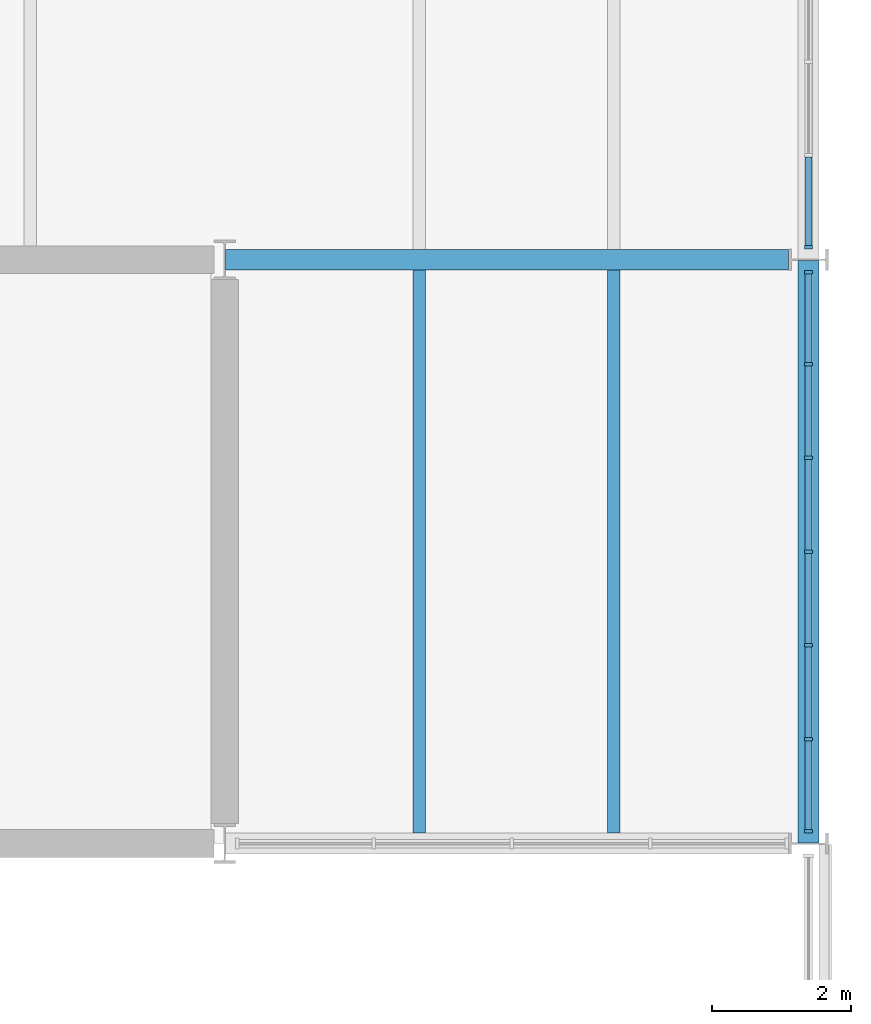
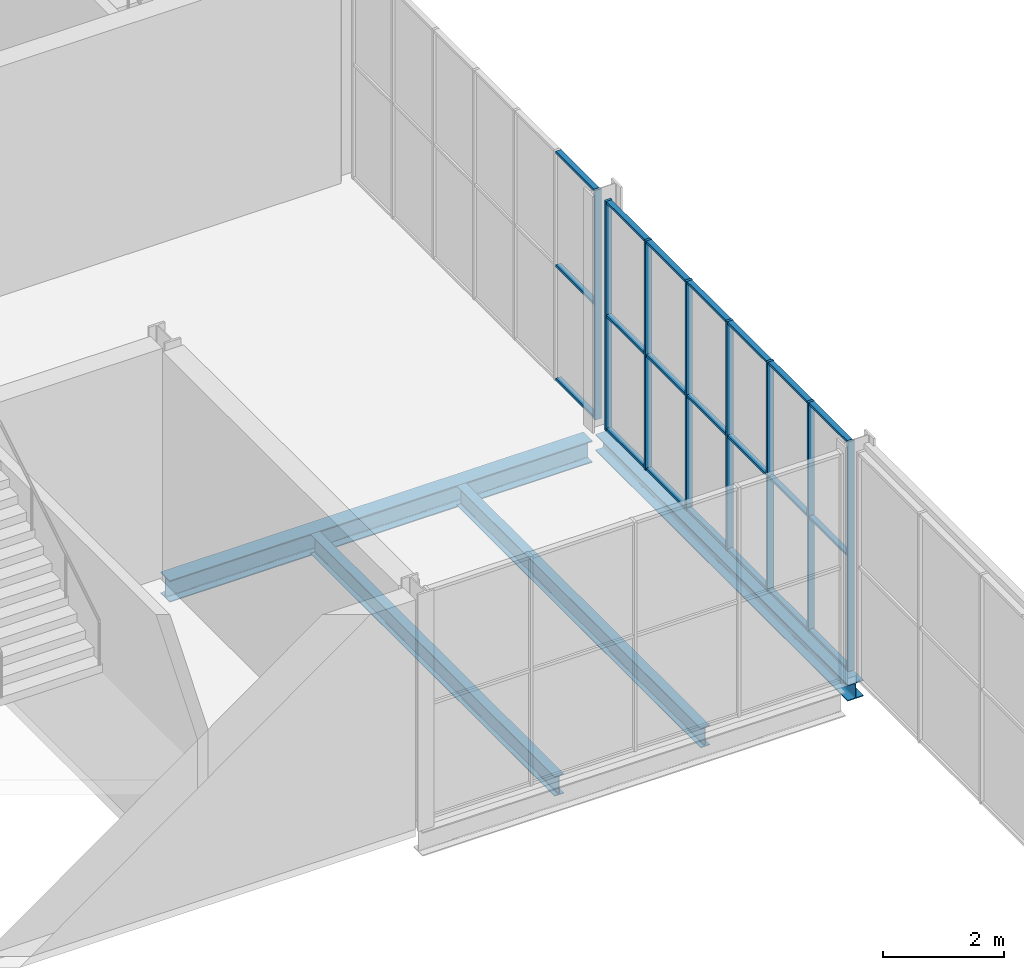
# One storey, part 28 of 61: 29 members, 4 beams, 2 elements without a shape of their own.
"""IFC4 building model written with IfcOpenShell, lengths in metres."""

import ifcopenshell
import ifcopenshell.guid

model = None  # the IFC model being written
_history = None  # IfcOwnerHistory: only IFC2X3 demands one
_inside = {}  # id of a spatial element -> (the spatial element, [elements in it])
_under = {}  # id of a project, library or spatial element -> (it, [spatial elements below it])
_declared = {}  # id of a project -> (the project, [libraries it declares])
_typed = {}  # id of a type object -> (the type object, [elements of that type])
_made_of = {}  # id of a material, layer set ... -> (it, [elements and type objects made of it])


def new_model(schema):
    """Start an empty IFC model of exactly this schema.

    Asked for "IFC4X3", IfcOpenShell would pick the latest addendum, in which some entities
    have other attributes; the version numbers below select the first issue.
    IFC2X3 requires an IfcOwnerHistory on every rooted entity: one is made here for all.
    """
    global model, _history
    if schema == "IFC4X3":
        model = ifcopenshell.file(schema_version=(4, 3, 0, 0))
    else:
        model = ifcopenshell.file(schema=schema)
    _inside.clear()
    _under.clear()
    _declared.clear()
    _typed.clear()
    _made_of.clear()
    _history = None
    if model.schema == "IFC2X3":
        org = make("IfcOrganization", Name="unknown")
        user = make(
            "IfcPersonAndOrganization",
            ThePerson=make("IfcPerson", FamilyName="unknown"),
            TheOrganization=org,
        )
        app = make(
            "IfcApplication",
            ApplicationDeveloper=org,
            Version="unknown",
            ApplicationFullName="unknown",
            ApplicationIdentifier="unknown",
        )
        _history = make(
            "IfcOwnerHistory",
            OwningUser=user,
            OwningApplication=app,
            ChangeAction="ADDED",
            CreationDate=0,
        )
    return model


def make(cls, **values):
    """One entity of the class cls with the attributes given. An attribute that is None is left unset."""
    return model.create_entity(
        cls, **{name: value for name, value in values.items() if value is not None}
    )


def rooted(cls, **values):
    """An entity with a GlobalId (a new one), such as an element, a storey or a relation."""
    return make(cls, GlobalId=ifcopenshell.guid.new(), OwnerHistory=_history, **values)


def si_unit(unit_type, name, prefix=None):
    """IfcSIUnit, for example si_unit("LENGTHUNIT", "METRE", prefix="MILLI")."""
    return make("IfcSIUnit", UnitType=unit_type, Prefix=prefix, Name=name)


def assignment(units):
    """IfcUnitAssignment: the units of a project."""
    return None if units is None else make("IfcUnitAssignment", Units=units)


def point(xyz):
    """IfcCartesianPoint."""
    return None if xyz is None else make("IfcCartesianPoint", Coordinates=xyz)


def direction(xyz):
    """IfcDirection."""
    return None if xyz is None else make("IfcDirection", DirectionRatios=xyz)


def frame(location, z_axis=None, x_axis=None):
    """IfcAxis2Placement3D, a coordinate frame: its origin and axes. An axis left out is left unset."""
    return make(
        "IfcAxis2Placement3D",
        Location=point(location),
        Axis=direction(z_axis),
        RefDirection=direction(x_axis),
    )


def frame_2d(location, x_axis=None):
    """IfcAxis2Placement2D, a coordinate frame in the plane: its origin and x axis."""
    return make(
        "IfcAxis2Placement2D", Location=point(location), RefDirection=direction(x_axis)
    )


def origin():
    """The frame at (0, 0, 0) with its axes left unset."""
    return frame((0.0, 0.0, 0.0))


def origin_2d():
    """The frame at (0, 0) in the plane with its x axis left unset."""
    return frame_2d((0.0, 0.0))


def place(relative_to, where):
    """IfcLocalPlacement: puts the frame where relative to a parent placement (None: the world)."""
    return make(
        "IfcLocalPlacement", PlacementRelTo=relative_to, RelativePlacement=where
    )


def context(
    kind, dimensions, precision=None, world=None, true_north=None, identifier=None
):
    """IfcGeometricRepresentationContext, for example the 3D "Model" context."""
    return make(
        "IfcGeometricRepresentationContext",
        ContextIdentifier=identifier,
        ContextType=kind,
        CoordinateSpaceDimension=dimensions,
        Precision=precision,
        WorldCoordinateSystem=world,
        TrueNorth=true_north,
    )


def subcontext(parent, identifier, kind, view, scale=None):
    """IfcGeometricRepresentationSubContext, for example "Body" below "Model"."""
    return make(
        "IfcGeometricRepresentationSubContext",
        ContextIdentifier=identifier,
        ContextType=kind,
        ParentContext=parent,
        TargetScale=scale,
        TargetView=view,
    )


def project(units=None, contexts=None):
    """IfcProject with its units and contexts."""
    return rooted(
        "IfcProject",
        Name="project",
        RepresentationContexts=contexts,
        UnitsInContext=assignment(units),
    )


def spatial(cls, under=None, at=None, **own):
    """A site, building, storey or space (cls), placed at a placement, below another one or the project."""
    s = rooted(cls, ObjectPlacement=at, **own)
    if under is not None:
        _under.setdefault(under.id(), (under, []))[1].append(s)
    return s


def profile(cls, at=None, kind="AREA", **sizes):
    """A parametric profile (cls). Its sizes go by their IFC names, for example OverallWidth=200.0."""
    return make(cls, ProfileType=kind, Position=at, **sizes)


def rectangle(**sizes):
    """IfcRectangleProfileDef."""
    return profile("IfcRectangleProfileDef", **sizes)


def i_section(**sizes):
    """IfcIShapeProfileDef."""
    return profile("IfcIShapeProfileDef", **sizes)


def extrude(swept, where, along, depth):
    """IfcExtrudedAreaSolid: the profile swept, set in the frame where, extruded along a direction by depth."""
    return make(
        "IfcExtrudedAreaSolid",
        SweptArea=swept,
        Position=where,
        ExtrudedDirection=direction(along),
        Depth=depth,
    )


def shape(context_of_items, identifier, shape_type, items):
    """IfcShapeRepresentation: the items that make up one representation, for example the "Body"."""
    return make(
        "IfcShapeRepresentation",
        ContextOfItems=context_of_items,
        RepresentationIdentifier=identifier,
        RepresentationType=shape_type,
        Items=items,
    )


def material(Name=None, Category=None):
    """IfcMaterial."""
    return make("IfcMaterial", Name=Name, Category=Category)


def layer(
    of_material, thickness, ventilated=None, Name=None, Category=None, Priority=None
):
    """IfcMaterialLayer: one layer of a wall or slab, of a material (None: an air gap)."""
    return make(
        "IfcMaterialLayer",
        Material=of_material,
        LayerThickness=thickness,
        IsVentilated=ventilated,
        Name=Name,
        Category=Category,
        Priority=Priority,
    )


def layer_set(layers, Name=None):
    """IfcMaterialLayerSet."""
    return make("IfcMaterialLayerSet", MaterialLayers=layers, LayerSetName=Name)


def material_profile(
    of_material, cross_section, Name=None, Category=None, Priority=None
):
    """IfcMaterialProfile: a cross section and its material."""
    return make(
        "IfcMaterialProfile",
        Name=Name,
        Material=of_material,
        Profile=cross_section,
        Priority=Priority,
        Category=Category,
    )


def profile_set(profiles, Name=None, composite=None):
    """IfcMaterialProfileSet."""
    return make(
        "IfcMaterialProfileSet",
        Name=Name,
        MaterialProfiles=profiles,
        CompositeProfile=composite,
    )


def made_of(thing, what):
    """Note that an element or type object is made of a material, layer set ...; save() writes the relation."""
    if what is not None:
        _made_of.setdefault(what.id(), (what, []))[1].append(thing)
    return thing


def type_object(cls, material=None, **own):
    """A type object (cls), such as IfcWallType, which elements share."""
    return made_of(rooted(cls, **own), material)


def element(
    cls,
    number,
    at=None,
    inside=None,
    cuts=None,
    type_object=None,
    material=None,
    context=None,
    identifier="Body",
    shape_type=None,
    held_by="IfcProductDefinitionShape",
    body=None,
    shapes=None,
    **own,
):
    """One element of the class cls, such as IfcWall. Its Tag is "e" and its number.

    at: its placement. inside: the storey or other place that contains it. cuts: it is an
    opening in that element (IfcRelVoidsElement). A single representation is given by context,
    identifier, shape_type and body (its items); several are given by shapes. held_by: the class
    of the entity that holds the representations. save() writes the other relations.
    """
    e = rooted(cls, Tag="e%d" % number, ObjectPlacement=at, **own)
    if body is not None:
        shapes = [shape(context, identifier, shape_type, body)]
    if shapes is not None:
        e.Representation = make(held_by, Representations=shapes)
    if inside is not None:
        _inside.setdefault(inside.id(), (inside, []))[1].append(e)
    if cuts is not None:
        rooted(
            "IfcRelVoidsElement", RelatingBuildingElement=cuts, RelatedOpeningElement=e
        )
    if type_object is not None:
        _typed.setdefault(type_object.id(), (type_object, []))[1].append(e)
    return made_of(e, material)


def aggregate(whole, parts):
    """IfcRelAggregates: a whole, such as a stair, and the parts it consists of."""
    return rooted("IfcRelAggregates", RelatingObject=whole, RelatedObjects=parts)


def save(model, path):
    """Write the relations noted so far, then the file.

    IfcRelAggregates (storeys below a building ...), IfcRelContainedInSpatialStructure (elements
    in a storey), IfcRelDefinesByType, IfcRelAssociatesMaterial and IfcRelDeclares: one each for
    every whole, place, type object, material and project.
    """
    for whole, parts in _under.values():
        aggregate(whole, parts)
    for where, things in _inside.values():
        rooted(
            "IfcRelContainedInSpatialStructure",
            RelatedElements=things,
            RelatingStructure=where,
        )
    for kind, things in _typed.values():
        rooted("IfcRelDefinesByType", RelatedObjects=things, RelatingType=kind)
    for what, things in _made_of.values():
        rooted("IfcRelAssociatesMaterial", RelatedObjects=things, RelatingMaterial=what)
    for by, libraries in _declared.values():
        rooted("IfcRelDeclares", RelatingContext=by, RelatedDefinitions=libraries)
    model.write(path)


model = new_model("IFC4")

# Units and contexts
model_context = context("Model", 3, precision=1e-05, world=origin(), true_north=direction((0.0, 1.0)))
body_context = subcontext(model_context, "Body", "Model", "MODEL_VIEW")
ifc_project = project(units=[si_unit("LENGTHUNIT", "METRE"), si_unit("AREAUNIT", "SQUARE_METRE"), si_unit("VOLUMEUNIT", "CUBIC_METRE"), si_unit("PLANEANGLEUNIT", "RADIAN"), si_unit("MASSUNIT", "GRAM", prefix="KILO")], contexts=[model_context])

# Site, building, storey
site_placement = place(None, origin())
site = spatial("IfcSite", under=ifc_project, at=site_placement, CompositionType="ELEMENT")
building_placement = place(site_placement, origin())
building = spatial("IfcBuilding", under=site, at=building_placement, Name="Galleria Vessillo Department Store", CompositionType="ELEMENT")
storey_placement = place(building_placement, frame((0.0, 0.0, 11.39990234375)))
storey = spatial("IfcBuildingStorey", under=building, at=storey_placement, Name="L02", CompositionType="ELEMENT", Elevation=11.39990234375)

# Curtain wall, members
ifc_material_1 = material(Name="Aluminium and glass curtain wall", Category="aluminium")
ifc_layer = layer(ifc_material_1, 0.1201171875)
ifc_layer_set = layer_set([ifc_layer], Name="Aluminium and glass curtain wall")
curtain_wall_type = type_object("IfcCurtainWallType", Name="Shopfront curtain wall CW3 1400 module", PredefinedType="NOTDEFINED", material=ifc_layer_set)
curtain_wall_1_placement = place(storey_placement, origin())
curtain_wall_1 = element("IfcCurtainWall", 1, at=curtain_wall_1_placement, inside=storey, type_object=curtain_wall_type, Name="Shopfront curtain wall CW3 1400 module SE-N-L02-01", PredefinedType="NOTDEFINED")
ifc_material_2 = material(Name="Aluminium alloy 6063 T6", Category="aluminium")
ifc_material_profile_1 = material_profile(ifc_material_2, rectangle(XDim=0.1201171875, YDim=0.050048828125, at=origin_2d()), Name="AL 50x120")
ifc_profile_set_1 = profile_set([ifc_material_profile_1], Name="Aluminium alloy 6063 T6")
member_type_1 = type_object("IfcMemberType", Name="Aluminium mullion 50 x 120", PredefinedType="MULLION", material=ifc_profile_set_1)
member_1_placement = place(storey_placement, frame((117.60009765625, 37.97802734375, 0.0), z_axis=(0.0, 0.0, 1.0), x_axis=(-1.0, 0.0, 0.0)))
member_1 = element("IfcMember", 2, at=member_1_placement, type_object=member_type_1, Name="CW3 mullion 1", PredefinedType="MULLION", context=body_context, shape_type="SweptSolid", body=[
    extrude(rectangle(XDim=0.1201171875, YDim=0.050048828125, at=origin_2d()), origin(), (0.0, 0.0, 1.0), 4.650146484375),
])
member_2_placement = place(storey_placement, frame((117.60009765625, 39.302001953125, 0.0), z_axis=(0.0, 0.0, 1.0), x_axis=(-1.0, 0.0, 0.0)))
member_2 = element("IfcMember", 3, at=member_2_placement, type_object=member_type_1, Name="CW3 mullion 2", PredefinedType="MULLION", context=body_context, shape_type="SweptSolid", body=[
    extrude(rectangle(XDim=0.1201171875, YDim=0.050048828125, at=origin_2d()), origin(), (0.0, 0.0, 1.0), 4.650146484375),
])
member_3_placement = place(storey_placement, frame((117.60009765625, 40.651123046875, 0.0), z_axis=(0.0, 0.0, 1.0), x_axis=(-1.0, 0.0, 0.0)))
member_3 = element("IfcMember", 4, at=member_3_placement, type_object=member_type_1, Name="CW3 mullion 3", PredefinedType="MULLION", context=body_context, shape_type="SweptSolid", body=[
    extrude(rectangle(XDim=0.1201171875, YDim=0.050048828125, at=origin_2d()), origin(), (0.0, 0.0, 1.0), 4.650146484375),
])
member_4_placement = place(storey_placement, frame((117.60009765625, 42.0, 0.0), z_axis=(0.0, 0.0, 1.0), x_axis=(-1.0, 0.0, 0.0)))
member_4 = element("IfcMember", 5, at=member_4_placement, type_object=member_type_1, Name="CW3 mullion 4", PredefinedType="MULLION", context=body_context, shape_type="SweptSolid", body=[
    extrude(rectangle(XDim=0.1201171875, YDim=0.050048828125, at=origin_2d()), origin(), (0.0, 0.0, 1.0), 4.650146484375),
])
member_5_placement = place(storey_placement, frame((117.60009765625, 43.348876953125, 0.0), z_axis=(0.0, 0.0, 1.0), x_axis=(-1.0, 0.0, 0.0)))
member_5 = element("IfcMember", 6, at=member_5_placement, type_object=member_type_1, Name="CW3 mullion 5", PredefinedType="MULLION", context=body_context, shape_type="SweptSolid", body=[
    extrude(rectangle(XDim=0.1201171875, YDim=0.050048828125, at=origin_2d()), origin(), (0.0, 0.0, 1.0), 4.650146484375),
])
member_6_placement = place(storey_placement, frame((117.60009765625, 44.697998046875, 0.0), z_axis=(0.0, 0.0, 1.0), x_axis=(-1.0, 0.0, 0.0)))
member_6 = element("IfcMember", 7, at=member_6_placement, type_object=member_type_1, Name="CW3 mullion 6", PredefinedType="MULLION", context=body_context, shape_type="SweptSolid", body=[
    extrude(rectangle(XDim=0.1201171875, YDim=0.050048828125, at=origin_2d()), origin(), (0.0, 0.0, 1.0), 4.650146484375),
])
member_7_placement = place(storey_placement, frame((117.60009765625, 46.02197265625, 0.0), z_axis=(0.0, 0.0, 1.0), x_axis=(-1.0, 0.0, 0.0)))
member_7 = element("IfcMember", 8, at=member_7_placement, type_object=member_type_1, Name="CW3 mullion 7", PredefinedType="MULLION", context=body_context, shape_type="SweptSolid", body=[
    extrude(rectangle(XDim=0.1201171875, YDim=0.050048828125, at=origin_2d()), origin(), (0.0, 0.0, 1.0), 4.650146484375),
])

# Curtain wall, member
curtain_wall_2_placement = place(storey_placement, origin())
curtain_wall_2 = element("IfcCurtainWall", 9, at=curtain_wall_2_placement, inside=storey, type_object=curtain_wall_type, Name="Shopfront curtain wall CW3 1400 module SE-N-L02-02", PredefinedType="NOTDEFINED")
member_8_placement = place(storey_placement, frame((117.60009765625, 46.3779296875, 0.0), z_axis=(0.0, 0.0, 1.0), x_axis=(-1.0, 0.0, 0.0)))
member_8 = element("IfcMember", 10, at=member_8_placement, type_object=member_type_1, Name="CW3 mullion 1", PredefinedType="MULLION", context=body_context, shape_type="SweptSolid", body=[
    extrude(rectangle(XDim=0.1201171875, YDim=0.050048828125, at=origin_2d()), origin(), (0.0, 0.0, 1.0), 4.650146484375),
])

# Member
ifc_material_3 = material(Name="Aluminium alloy 6063 T6", Category="aluminium")
ifc_material_profile_2 = material_profile(ifc_material_3, rectangle(XDim=0.10009765625, YDim=0.050048828125, at=origin_2d()), Name="AL 50x100")
ifc_profile_set_2 = profile_set([ifc_material_profile_2], Name="Aluminium alloy 6063 T6")
member_type_2 = type_object("IfcMemberType", Name="Aluminium transom 50 x 100", PredefinedType="USERDEFINED", material=ifc_profile_set_2)
member_9_placement = place(storey_placement, frame((117.60009765625, 38.003173828125, 0.02490234375), z_axis=(0.0, 1.0, 0.0), x_axis=(-1.0, 0.0, 0.0)))
member_9 = element("IfcMember", 11, at=member_9_placement, type_object=member_type_2, Name="CW3 transom 1.1", ObjectType="TRANSOM", PredefinedType="USERDEFINED", context=body_context, shape_type="SweptSolid", body=[
    extrude(rectangle(XDim=0.10009765625, YDim=0.050048828125, at=origin_2d()), origin(), (0.0, 0.0, 1.0), 1.27392578125),
])

member_10_placement = place(storey_placement, frame((117.60009765625, 38.003173828125, 2.3251953125), z_axis=(0.0, 1.0, 0.0), x_axis=(-1.0, 0.0, 0.0)))
member_10 = element("IfcMember", 12, at=member_10_placement, type_object=member_type_2, Name="CW3 transom 1.2", ObjectType="TRANSOM", PredefinedType="USERDEFINED", context=body_context, shape_type="SweptSolid", body=[
    extrude(rectangle(XDim=0.10009765625, YDim=0.050048828125, at=origin_2d()), origin(), (0.0, 0.0, 1.0), 1.27392578125),
])

member_11_placement = place(storey_placement, frame((117.60009765625, 38.003173828125, 4.625244140625), z_axis=(0.0, 1.0, 0.0), x_axis=(-1.0, 0.0, 0.0)))
member_11 = element("IfcMember", 13, at=member_11_placement, type_object=member_type_2, Name="CW3 transom 1.3", ObjectType="TRANSOM", PredefinedType="USERDEFINED", context=body_context, shape_type="SweptSolid", body=[
    extrude(rectangle(XDim=0.10009765625, YDim=0.050048828125, at=origin_2d()), origin(), (0.0, 0.0, 1.0), 1.27392578125),
])

member_12_placement = place(storey_placement, frame((117.60009765625, 39.3271484375, 0.02490234375), z_axis=(0.0, 1.0, 0.0), x_axis=(-1.0, 0.0, 0.0)))
member_12 = element("IfcMember", 14, at=member_12_placement, type_object=member_type_2, Name="CW3 transom 2.1", ObjectType="TRANSOM", PredefinedType="USERDEFINED", context=body_context, shape_type="SweptSolid", body=[
    extrude(rectangle(XDim=0.10009765625, YDim=0.050048828125, at=origin_2d()), origin(), (0.0, 0.0, 1.0), 1.298828125),
])

member_13_placement = place(storey_placement, frame((117.60009765625, 39.3271484375, 2.3251953125), z_axis=(0.0, 1.0, 0.0), x_axis=(-1.0, 0.0, 0.0)))
member_13 = element("IfcMember", 15, at=member_13_placement, type_object=member_type_2, Name="CW3 transom 2.2", ObjectType="TRANSOM", PredefinedType="USERDEFINED", context=body_context, shape_type="SweptSolid", body=[
    extrude(rectangle(XDim=0.10009765625, YDim=0.050048828125, at=origin_2d()), origin(), (0.0, 0.0, 1.0), 1.298828125),
])

member_14_placement = place(storey_placement, frame((117.60009765625, 39.3271484375, 4.625244140625), z_axis=(0.0, 1.0, 0.0), x_axis=(-1.0, 0.0, 0.0)))
member_14 = element("IfcMember", 16, at=member_14_placement, type_object=member_type_2, Name="CW3 transom 2.3", ObjectType="TRANSOM", PredefinedType="USERDEFINED", context=body_context, shape_type="SweptSolid", body=[
    extrude(rectangle(XDim=0.10009765625, YDim=0.050048828125, at=origin_2d()), origin(), (0.0, 0.0, 1.0), 1.298828125),
])

member_15_placement = place(storey_placement, frame((117.60009765625, 40.676025390625, 0.02490234375), z_axis=(0.0, 1.0, 0.0), x_axis=(-1.0, 0.0, 0.0)))
member_15 = element("IfcMember", 17, at=member_15_placement, type_object=member_type_2, Name="CW3 transom 3.1", ObjectType="TRANSOM", PredefinedType="USERDEFINED", context=body_context, shape_type="SweptSolid", body=[
    extrude(rectangle(XDim=0.10009765625, YDim=0.050048828125, at=origin_2d()), origin(), (0.0, 0.0, 1.0), 1.299072265625),
])

member_16_placement = place(storey_placement, frame((117.60009765625, 40.676025390625, 2.3251953125), z_axis=(0.0, 1.0, 0.0), x_axis=(-1.0, 0.0, 0.0)))
member_16 = element("IfcMember", 18, at=member_16_placement, type_object=member_type_2, Name="CW3 transom 3.2", ObjectType="TRANSOM", PredefinedType="USERDEFINED", context=body_context, shape_type="SweptSolid", body=[
    extrude(rectangle(XDim=0.10009765625, YDim=0.050048828125, at=origin_2d()), origin(), (0.0, 0.0, 1.0), 1.299072265625),
])

member_17_placement = place(storey_placement, frame((117.60009765625, 40.676025390625, 4.625244140625), z_axis=(0.0, 1.0, 0.0), x_axis=(-1.0, 0.0, 0.0)))
member_17 = element("IfcMember", 19, at=member_17_placement, type_object=member_type_2, Name="CW3 transom 3.3", ObjectType="TRANSOM", PredefinedType="USERDEFINED", context=body_context, shape_type="SweptSolid", body=[
    extrude(rectangle(XDim=0.10009765625, YDim=0.050048828125, at=origin_2d()), origin(), (0.0, 0.0, 1.0), 1.299072265625),
])

member_18_placement = place(storey_placement, frame((117.60009765625, 42.02490234375, 0.02490234375), z_axis=(0.0, 1.0, 0.0), x_axis=(-1.0, 0.0, 0.0)))
member_18 = element("IfcMember", 20, at=member_18_placement, type_object=member_type_2, Name="CW3 transom 4.1", ObjectType="TRANSOM", PredefinedType="USERDEFINED", context=body_context, shape_type="SweptSolid", body=[
    extrude(rectangle(XDim=0.10009765625, YDim=0.050048828125, at=origin_2d()), origin(), (0.0, 0.0, 1.0), 1.299072265625),
])

member_19_placement = place(storey_placement, frame((117.60009765625, 42.02490234375, 2.3251953125), z_axis=(0.0, 1.0, 0.0), x_axis=(-1.0, 0.0, 0.0)))
member_19 = element("IfcMember", 21, at=member_19_placement, type_object=member_type_2, Name="CW3 transom 4.2", ObjectType="TRANSOM", PredefinedType="USERDEFINED", context=body_context, shape_type="SweptSolid", body=[
    extrude(rectangle(XDim=0.10009765625, YDim=0.050048828125, at=origin_2d()), origin(), (0.0, 0.0, 1.0), 1.299072265625),
])

member_20_placement = place(storey_placement, frame((117.60009765625, 42.02490234375, 4.625244140625), z_axis=(0.0, 1.0, 0.0), x_axis=(-1.0, 0.0, 0.0)))
member_20 = element("IfcMember", 22, at=member_20_placement, type_object=member_type_2, Name="CW3 transom 4.3", ObjectType="TRANSOM", PredefinedType="USERDEFINED", context=body_context, shape_type="SweptSolid", body=[
    extrude(rectangle(XDim=0.10009765625, YDim=0.050048828125, at=origin_2d()), origin(), (0.0, 0.0, 1.0), 1.299072265625),
])

member_21_placement = place(storey_placement, frame((117.60009765625, 43.3740234375, 0.02490234375), z_axis=(0.0, 1.0, 0.0), x_axis=(-1.0, 0.0, 0.0)))
member_21 = element("IfcMember", 23, at=member_21_placement, type_object=member_type_2, Name="CW3 transom 5.1", ObjectType="TRANSOM", PredefinedType="USERDEFINED", context=body_context, shape_type="SweptSolid", body=[
    extrude(rectangle(XDim=0.10009765625, YDim=0.050048828125, at=origin_2d()), origin(), (0.0, 0.0, 1.0), 1.298828125),
])

member_22_placement = place(storey_placement, frame((117.60009765625, 43.3740234375, 2.3251953125), z_axis=(0.0, 1.0, 0.0), x_axis=(-1.0, 0.0, 0.0)))
member_22 = element("IfcMember", 24, at=member_22_placement, type_object=member_type_2, Name="CW3 transom 5.2", ObjectType="TRANSOM", PredefinedType="USERDEFINED", context=body_context, shape_type="SweptSolid", body=[
    extrude(rectangle(XDim=0.10009765625, YDim=0.050048828125, at=origin_2d()), origin(), (0.0, 0.0, 1.0), 1.298828125),
])

member_23_placement = place(storey_placement, frame((117.60009765625, 43.3740234375, 4.625244140625), z_axis=(0.0, 1.0, 0.0), x_axis=(-1.0, 0.0, 0.0)))
member_23 = element("IfcMember", 25, at=member_23_placement, type_object=member_type_2, Name="CW3 transom 5.3", ObjectType="TRANSOM", PredefinedType="USERDEFINED", context=body_context, shape_type="SweptSolid", body=[
    extrude(rectangle(XDim=0.10009765625, YDim=0.050048828125, at=origin_2d()), origin(), (0.0, 0.0, 1.0), 1.298828125),
])

member_24_placement = place(storey_placement, frame((117.60009765625, 44.722900390625, 0.02490234375), z_axis=(0.0, 1.0, 0.0), x_axis=(-1.0, 0.0, 0.0)))
member_24 = element("IfcMember", 26, at=member_24_placement, type_object=member_type_2, Name="CW3 transom 6.1", ObjectType="TRANSOM", PredefinedType="USERDEFINED", context=body_context, shape_type="SweptSolid", body=[
    extrude(rectangle(XDim=0.10009765625, YDim=0.050048828125, at=origin_2d()), origin(), (0.0, 0.0, 1.0), 1.27392578125),
])

member_25_placement = place(storey_placement, frame((117.60009765625, 44.722900390625, 2.3251953125), z_axis=(0.0, 1.0, 0.0), x_axis=(-1.0, 0.0, 0.0)))
member_25 = element("IfcMember", 27, at=member_25_placement, type_object=member_type_2, Name="CW3 transom 6.2", ObjectType="TRANSOM", PredefinedType="USERDEFINED", context=body_context, shape_type="SweptSolid", body=[
    extrude(rectangle(XDim=0.10009765625, YDim=0.050048828125, at=origin_2d()), origin(), (0.0, 0.0, 1.0), 1.27392578125),
])

member_26_placement = place(storey_placement, frame((117.60009765625, 44.722900390625, 4.625244140625), z_axis=(0.0, 1.0, 0.0), x_axis=(-1.0, 0.0, 0.0)))
member_26 = element("IfcMember", 28, at=member_26_placement, type_object=member_type_2, Name="CW3 transom 6.3", ObjectType="TRANSOM", PredefinedType="USERDEFINED", context=body_context, shape_type="SweptSolid", body=[
    extrude(rectangle(XDim=0.10009765625, YDim=0.050048828125, at=origin_2d()), origin(), (0.0, 0.0, 1.0), 1.27392578125),
])

aggregate(curtain_wall_1, [member_1, member_2, member_3, member_4, member_5, member_6, member_7, member_9, member_10, member_11, member_12, member_13, member_14, member_15, member_16, member_17, member_18, member_19, member_20, member_21, member_22, member_23, member_24, member_25, member_26])

member_27_placement = place(storey_placement, frame((117.60009765625, 46.403076171875, 0.02490234375), z_axis=(0.0, 1.0, 0.0), x_axis=(-1.0, 0.0, 0.0)))
member_27 = element("IfcMember", 29, at=member_27_placement, type_object=member_type_2, Name="CW3 transom 1.1", ObjectType="TRANSOM", PredefinedType="USERDEFINED", context=body_context, shape_type="SweptSolid", body=[
    extrude(rectangle(XDim=0.10009765625, YDim=0.050048828125, at=origin_2d()), origin(), (0.0, 0.0, 1.0), 1.27392578125),
])

member_28_placement = place(storey_placement, frame((117.60009765625, 46.403076171875, 2.3251953125), z_axis=(0.0, 1.0, 0.0), x_axis=(-1.0, 0.0, 0.0)))
member_28 = element("IfcMember", 30, at=member_28_placement, type_object=member_type_2, Name="CW3 transom 1.2", ObjectType="TRANSOM", PredefinedType="USERDEFINED", context=body_context, shape_type="SweptSolid", body=[
    extrude(rectangle(XDim=0.10009765625, YDim=0.050048828125, at=origin_2d()), origin(), (0.0, 0.0, 1.0), 1.27392578125),
])

member_29_placement = place(storey_placement, frame((117.60009765625, 46.403076171875, 4.625244140625), z_axis=(0.0, 1.0, 0.0), x_axis=(-1.0, 0.0, 0.0)))
member_29 = element("IfcMember", 31, at=member_29_placement, type_object=member_type_2, Name="CW3 transom 1.3", ObjectType="TRANSOM", PredefinedType="USERDEFINED", context=body_context, shape_type="SweptSolid", body=[
    extrude(rectangle(XDim=0.10009765625, YDim=0.050048828125, at=origin_2d()), origin(), (0.0, 0.0, 1.0), 1.27392578125),
])

aggregate(curtain_wall_2, [member_8, member_27, member_28, member_29])

# Beams
ifc_material_4 = material(Name="Steel S355 J2", Category="steel")
ifc_material_profile_3 = material_profile(ifc_material_4, i_section(OverallWidth=0.300048828125, OverallDepth=0.43994140625, WebThickness=0.011474609375, FlangeThickness=0.02099609375, FilletRadius=0.027099609375, at=origin_2d()), Name="HEA 450")
ifc_profile_set_3 = profile_set([ifc_material_profile_3], Name="Steel S355 J2")
beam_type_1 = type_object("IfcBeamType", Name="Floor girder HEA 450", PredefinedType="BEAM", material=ifc_profile_set_3)
beam_1_placement = place(storey_placement, frame((109.210693359375, 46.199951171875, -0.369873046875), z_axis=(1.0, 0.0, 0.0), x_axis=(0.0, 1.0, 0.0)))
element("IfcBeam", 32, at=beam_1_placement, inside=storey, type_object=beam_type_1, Name="S-BM-L02-GI-x46200-109211", PredefinedType="BEAM", context=body_context, shape_type="SweptSolid", body=[
    extrude(i_section(OverallWidth=0.300048828125, OverallDepth=0.43994140625, WebThickness=0.011474609375, FlangeThickness=0.02099609375, FilletRadius=0.027099609375, at=origin_2d()), origin(), (0.0, 0.0, 1.0), 8.103271484375),
])
ifc_material_5 = material(Name="Steel S355 J2", Category="steel")
ifc_material_profile_4 = material_profile(ifc_material_5, i_section(OverallWidth=0.179931640625, OverallDepth=0.39990234375, WebThickness=0.008544921875, FlangeThickness=0.013427734375, FilletRadius=0.02099609375, at=origin_2d()), Name="IPE 400")
ifc_profile_set_4 = profile_set([ifc_material_profile_4], Name="Steel S355 J2")
beam_type_2 = type_object("IfcBeamType", Name="Floor joist IPE 400", PredefinedType="JOIST", material=ifc_profile_set_4)
for number, where, z_axis, x_axis, name in (
    (33, (112.0, 37.9501953125, -0.349853515625), (0.0, 1.0, 0.0), (-1.0, 0.0, 0.0), "S-BM-L02-JO-y112000-37950"),
    (34, (114.800048828125, 37.9501953125, -0.349853515625), (0.0, 1.0, 0.0), (-1.0, 0.0, 0.0), "S-BM-L02-JO-y114800-37950"),
):
    element("IfcBeam", number, at=place(storey_placement, frame(where, z_axis=z_axis, x_axis=x_axis)), inside=storey, type_object=beam_type_2, Name=name, PredefinedType="JOIST", context=body_context, shape_type="SweptSolid", body=[
        extrude(i_section(OverallWidth=0.179931640625, OverallDepth=0.39990234375, WebThickness=0.008544921875, FlangeThickness=0.013427734375, FilletRadius=0.02099609375, at=origin_2d()), origin(), (0.0, 0.0, 1.0), 8.099609375),
    ])
ifc_material_6 = material(Name="Steel S355 J2", Category="steel")
ifc_material_profile_5 = material_profile(ifc_material_6, i_section(OverallWidth=0.300048828125, OverallDepth=0.330078125, WebThickness=0.009521484375, FlangeThickness=0.0166015625, FilletRadius=0.027099609375, at=origin_2d()), Name="HEA 340")
ifc_profile_set_5 = profile_set([ifc_material_profile_5], Name="Steel S355 J2")
beam_type_3 = type_object("IfcBeamType", Name="Spandrel beam HEA 340", PredefinedType="SPANDREL", material=ifc_profile_set_5)
beam_2_placement = place(storey_placement, frame((117.60009765625, 37.810546875, -0.31494140625), z_axis=(0.0, 1.0, 0.0), x_axis=(-1.0, 0.0, 0.0)))
element("IfcBeam", 35, at=beam_2_placement, inside=storey, type_object=beam_type_3, Name="S-BM-L02-SP-y117600-37811", PredefinedType="SPANDREL", context=body_context, shape_type="SweptSolid", body=[
    extrude(i_section(OverallWidth=0.300048828125, OverallDepth=0.330078125, WebThickness=0.009521484375, FlangeThickness=0.0166015625, FilletRadius=0.027099609375, at=origin_2d()), origin(), (0.0, 0.0, 1.0), 8.37890625),
])

save(model, "model.ifc")
